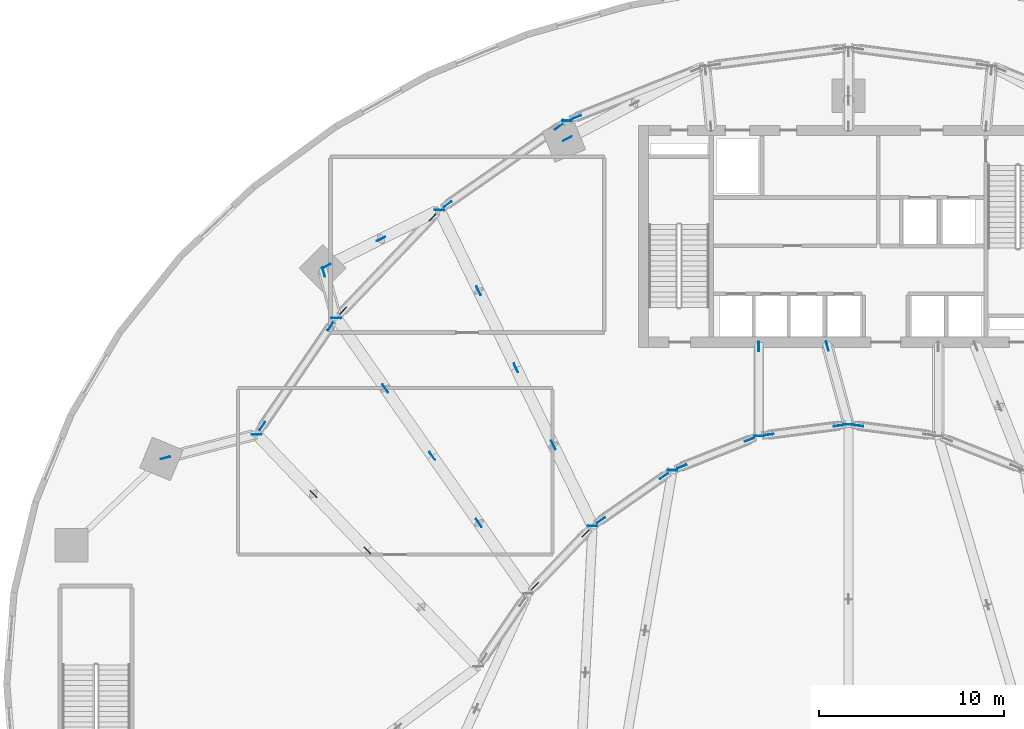
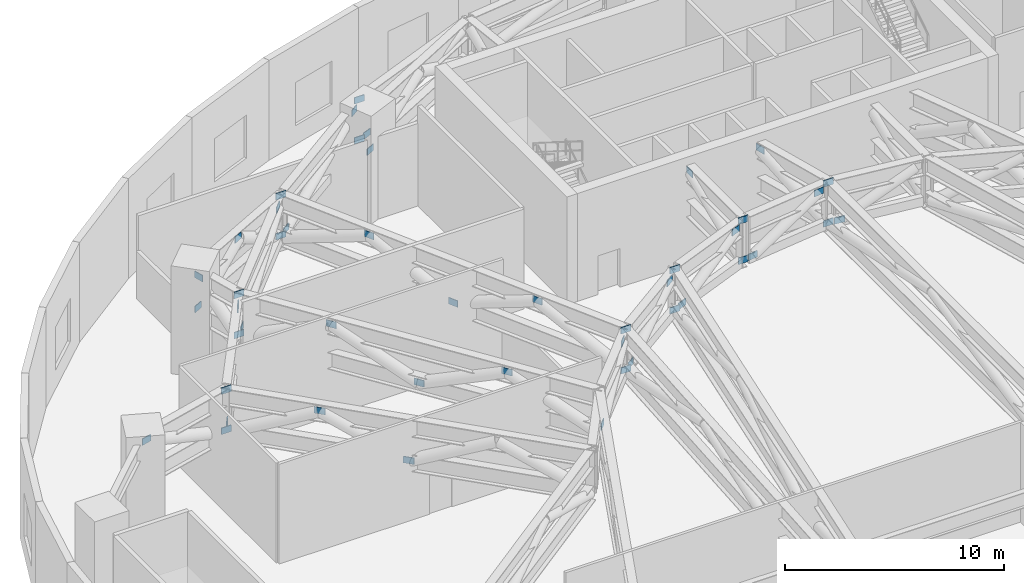
# One storey, part 10 of 19: 47 plates.
"""IFC4 building model written with IfcOpenShell, lengths in metres."""

from ifc_helpers import new_model, si_unit, direction, frame, origin, origin_2d, place, context, subcontext, project, spatial, rectangle, extrude, source, transform, mapped, material, layer, layer_set, type_object, element, save


model = new_model("IFC4")

# Units and contexts
model_context = context("Model", 3, precision=1e-05, world=origin(), true_north=direction((0.0, 1.0)))
body_context = subcontext(model_context, "Body", "Model", "MODEL_VIEW")
ifc_project = project(units=[si_unit("LENGTHUNIT", "METRE"), si_unit("AREAUNIT", "SQUARE_METRE"), si_unit("VOLUMEUNIT", "CUBIC_METRE"), si_unit("PLANEANGLEUNIT", "RADIAN"), si_unit("MASSUNIT", "GRAM", prefix="KILO")], contexts=[model_context])

# Site, building, storey
site_placement = place(None, origin())
site = spatial("IfcSite", under=ifc_project, at=site_placement, CompositionType="ELEMENT")
building_placement = place(site_placement, origin())
building = spatial("IfcBuilding", under=site, at=building_placement, Name="Breltana Convention Tower", CompositionType="ELEMENT")
storey_placement = place(building_placement, frame((0.0, 0.0, 24.0)))
storey = spatial("IfcBuildingStorey", under=building, at=storey_placement, Name="L04", CompositionType="ELEMENT", Elevation=24.0)

# Plates
ifc_material = material(Name="Steel S355", Category="steel")
ifc_layer = layer(ifc_material, 0.0400390625, Name="Steel S355")
ifc_layer_set = layer_set([ifc_layer], Name="Steel S355")
plate_type = type_object("IfcPlateType", Name="PL-GUSSET-40", PredefinedType="USERDEFINED", material=ifc_layer_set)
shared_shape = source(origin(), body_context, "Body", "SweptSolid", [
    extrude(rectangle(XDim=0.52001953125, YDim=0.0400390625, at=origin_2d()), origin(), (0.0, 0.0, 1.0), 0.360107421875),
])
for number, where, z_axis, x_axis, name in (
    (1, (16.0068359375, 55.494384765625, 2.96337890625), (0.0, 0.0, 1.0), (1.0, 0.0, 0.0), "L04 Structural Brace Node Gusset Plate 003"),
    (2, (16.0068359375, 55.494384765625, 5.18994140625), (0.0, 0.0, 1.0), (1.0, 0.0, 0.0), "L04 Structural Brace Node Gusset Plate 004"),
    (3, (20.310791015625, 61.78857421875, 2.96337890625), (0.0, 0.0, 1.0), (1.0, 0.0, 0.0), "L04 Structural Brace Node Gusset Plate 007"),
    (4, (20.310791015625, 61.78857421875, 5.18994140625), (0.0, 0.0, 1.0), (1.0, 0.0, 0.0), "L04 Structural Brace Node Gusset Plate 008"),
    (5, (34.166259765625, 50.544921875, 2.96337890625), (0.0, 0.0, 1.0), (1.0, 0.0, 0.0), "L04 Structural Brace Node Gusset Plate 009"),
    (6, (34.166259765625, 50.544921875, 5.18994140625), (0.0, 0.0, 1.0), (1.0, 0.0, 0.0), "L04 Structural Brace Node Gusset Plate 010"),
    (7, (25.8876953125, 67.626953125, 2.96337890625), (0.0, 0.0, 1.0), (1.0, 0.0, 0.0), "L04 Structural Brace Node Gusset Plate 011"),
    (8, (25.8876953125, 67.626953125, 5.18994140625), (0.0, 0.0, 1.0), (1.0, 0.0, 0.0), "L04 Structural Brace Node Gusset Plate 012"),
    (9, (38.485107421875, 53.5576171875, 2.96337890625), (0.0, 0.0, 1.0), (1.0, 0.0, 0.0), "L04 Structural Brace Node Gusset Plate 013"),
    (10, (38.485107421875, 53.5576171875, 5.18994140625), (0.0, 0.0, 1.0), (1.0, 0.0, 0.0), "L04 Structural Brace Node Gusset Plate 014"),
    (11, (32.791015625, 72.4423828125, 2.96337890625), (0.0, 0.0, 1.0), (1.0, 0.0, 0.0), "L04 Structural Brace Node Gusset Plate 015"),
    (12, (32.791015625, 72.4423828125, 5.18994140625), (0.0, 0.0, 1.0), (1.0, 0.0, 0.0), "L04 Structural Brace Node Gusset Plate 016"),
    (13, (43.153564453125, 55.41064453125, 2.96337890625), (0.0, 0.0, 1.0), (1.0, 0.0, 0.0), "L04 Structural Brace Node Gusset Plate 017"),
    (14, (43.153564453125, 55.41064453125, 5.18994140625), (0.0, 0.0, 1.0), (1.0, 0.0, 0.0), "L04 Structural Brace Node Gusset Plate 018"),
    (15, (48.0, 56.035888671875, 2.96337890625), (0.0, 0.0, 1.0), (1.0, 0.0, 0.0), "L04 Structural Brace Node Gusset Plate 021"),
    (16, (48.0, 56.035888671875, 5.18994140625), (0.0, 0.0, 1.0), (1.0, 0.0, 0.0), "L04 Structural Brace Node Gusset Plate 022"),
    (17, (21.99560546875, 49.224609375, 2.96337890625), (0.0, 0.0, 1.0), (-0.690756218984, 0.723087716626, 0.0), "L04 Structural Brace Node Gusset Plate 050"),
    (18, (19.0771484375, 52.27978515625, 4.89599609375), (0.0, 0.0, 1.0), (-0.690756218984, 0.723087716626, 0.0), "L04 Structural Brace Node Gusset Plate 051"),
    (19, (11.072998046875, 54.22412109375, 4.89599609375), (0.0, 0.0, 1.0), (-0.968409306811, -0.249366025115, 0.0), "L04 Structural Brace Node Gusset Plate 052"),
    (20, (28.022705078125, 50.706787109375, 4.89599609375), (0.0, 0.0, 1.0), (-0.571143442153, 0.820850271661, 0.0), "L04 Structural Brace Node Gusset Plate 057"),
    (21, (25.493896484375, 54.340576171875, 2.96337890625), (0.0, 0.0, 1.0), (-0.571143442153, 0.820850271661, 0.0), "L04 Structural Brace Node Gusset Plate 058"),
    (22, (22.96533203125, 57.974365234375, 4.89599609375), (0.0, 0.0, 1.0), (-0.571143442153, 0.820850271661, 0.0), "L04 Structural Brace Node Gusset Plate 059"),
    (23, (19.63232421875, 64.273681640625, 4.89599609375), (0.0, 0.0, 1.0), (-0.263367972734, 0.964695449838, 0.0), "L04 Structural Brace Node Gusset Plate 060"),
    (24, (32.048583984375, 54.91455078125, 4.89599609375), (0.0, 0.0, 1.0), (-0.436173672171, 0.899862504889, 0.0), "L04 Structural Brace Node Gusset Plate 065"),
    (25, (30.02685546875, 59.0859375, 2.96337890625), (0.0, 0.0, 1.0), (-0.436173672171, 0.899862504889, 0.0), "L04 Structural Brace Node Gusset Plate 066"),
    (26, (28.00537109375, 63.257568359375, 4.89599609375), (0.0, 0.0, 1.0), (-0.436173672171, 0.899862504889, 0.0), "L04 Structural Brace Node Gusset Plate 067"),
    (27, (22.73095703125, 66.056396484375, 4.89599609375), (0.0, 0.0, 1.0), (-0.895323401835, -0.445416665749, 0.0), "L04 Structural Brace Node Gusset Plate 068"),
    (28, (19.771240234375, 64.583984375, 2.96337890625), (0.0, 0.0, 1.0), (-0.895323401835, -0.445416665749, 0.0), "L04 Structural Brace Node Gusset Plate 069"),
    (29, (43.153564453125, 60.2548828125, 4.89599609375), (0.0, 0.0, 1.0), (0.0, 1.0, 0.0), "L04 Structural Brace Node Gusset Plate 073"),
    (30, (32.810791015625, 71.48193359375, 2.96337890625), (0.0, 0.0, 1.0), (-0.884662361566, -0.466232244732, 0.0), "L04 Structural Brace Node Gusset Plate 077"),
    (31, (46.857421875, 60.2626953125, 4.89599609375), (0.0, 0.0, 1.0), (-0.261009993198, 0.965336098699, 0.0), "L04 Structural Brace Node Gusset Plate 082"),
    (32, (16.3173828125, 55.948486328125, 2.96337890625), (0.0, 0.0, 1.0), (0.564390827903, 0.825507718546, 0.0), "L04 Structural Brace Node Gusset Plate 127"),
    (33, (20.00048828125, 61.334716796875, 4.89599609375), (0.0, 0.0, 1.0), (0.564390827903, 0.825507718546, 0.0), "L04 Structural Brace Node Gusset Plate 128"),
    (34, (31.05712890625, 47.2900390625, 2.96337890625), (0.0, 0.0, 1.0), (0.690756218984, 0.723087716626, 0.0), "L04 Structural Brace Node Gusset Plate 129"),
    (35, (33.786376953125, 50.147216796875, 4.89599609375), (0.0, 0.0, 1.0), (0.690756218984, 0.723087716626, 0.0), "L04 Structural Brace Node Gusset Plate 130"),
    (36, (20.69091796875, 62.186279296875, 2.96337890625), (0.0, 0.0, 1.0), (0.690756218984, 0.723087716626, 0.0), "L04 Structural Brace Node Gusset Plate 131"),
    (37, (25.5078125, 67.229248046875, 4.89599609375), (0.0, 0.0, 1.0), (0.690756218984, 0.723087716626, 0.0), "L04 Structural Brace Node Gusset Plate 132"),
    (38, (34.6171875, 50.859619140625, 2.96337890625), (0.0, 0.0, 1.0), (0.820151875874, 0.572145873446, 0.0), "L04 Structural Brace Node Gusset Plate 133"),
    (39, (38.033935546875, 53.242919921875, 4.89599609375), (0.0, 0.0, 1.0), (0.820151875874, 0.572145873446, 0.0), "L04 Structural Brace Node Gusset Plate 134"),
    (40, (26.3388671875, 67.941650390625, 2.96337890625), (0.0, 0.0, 1.0), (0.820151875874, 0.572145873446, 0.0), "L04 Structural Brace Node Gusset Plate 135"),
    (41, (32.33984375, 72.127685546875, 4.89599609375), (0.0, 0.0, 1.0), (0.820151875874, 0.572145873446, 0.0), "L04 Structural Brace Node Gusset Plate 136"),
    (42, (38.99609375, 53.760498046875, 2.96337890625), (0.0, 0.0, 1.0), (0.929454882621, 0.36893579546, 0.0), "L04 Structural Brace Node Gusset Plate 137"),
    (43, (42.642333984375, 55.207763671875, 4.89599609375), (0.0, 0.0, 1.0), (0.929454882621, 0.36893579546, 0.0), "L04 Structural Brace Node Gusset Plate 138"),
    (44, (33.30224609375, 72.6455078125, 2.96337890625), (0.0, 0.0, 1.0), (0.929454882621, 0.36893579546, 0.0), "L04 Structural Brace Node Gusset Plate 139"),
    (45, (43.698974609375, 55.481201171875, 2.96337890625), (0.0, 0.0, 1.0), (0.99178318013, 0.127930151302, 0.0), "L04 Structural Brace Node Gusset Plate 141"),
    (46, (47.45458984375, 55.965576171875, 4.89599609375), (0.0, 0.0, 1.0), (0.99178318013, 0.127930151302, 0.0), "L04 Structural Brace Node Gusset Plate 142"),
    (47, (48.54541015625, 55.965576171875, 2.96337890625), (0.0, 0.0, 1.0), (0.99178318013, -0.127930151302, 0.0), "L04 Structural Brace Node Gusset Plate 145"),
):
    element("IfcPlate", number, at=place(storey_placement, frame(where, z_axis=z_axis, x_axis=x_axis)), inside=storey, type_object=plate_type, Name=name, ObjectType="GUSSET_PLATE", PredefinedType="USERDEFINED", context=body_context, shape_type="MappedRepresentation", body=[
        mapped(shared_shape, transform((0.0, 0.0, 0.0), scale=1.0)),
    ])

save(model, "model.ifc")
